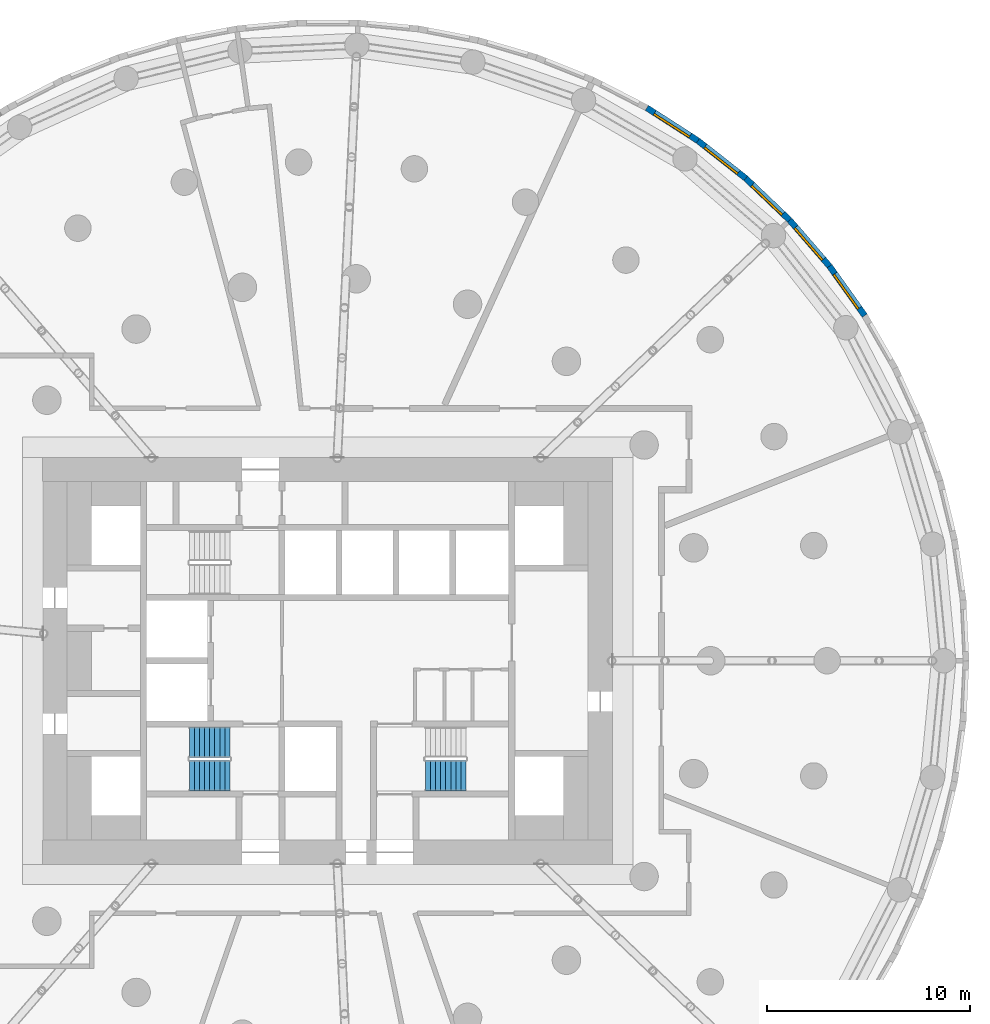
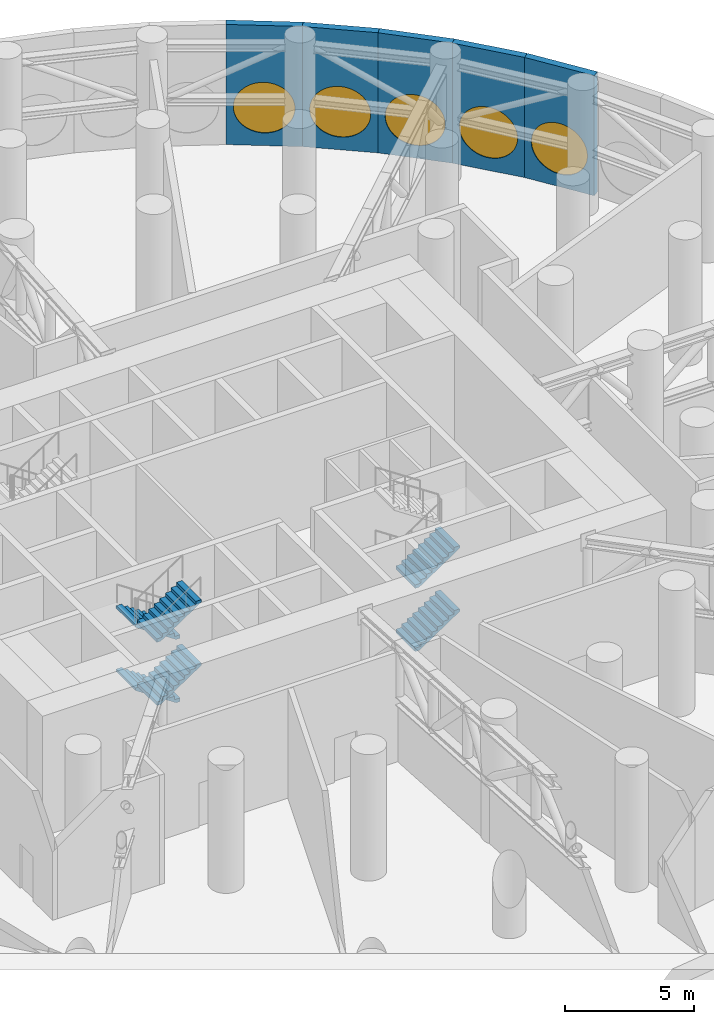
# One storey, part 15 of 17: 6 stair flights, 5 walls, 5 windows, 5 openings, 2 elements without a shape of their own.
"""IFC4 building model written with IfcOpenShell, lengths in metres."""

from ifc_helpers import new_model, si_unit, direction, frame, frame_2d, origin, origin_2d, place, context, subcontext, project, spatial, polyline, rectangle, circle, outline, extrude, material, layer, layer_set, type_object, element, fill, aggregate, save


model = new_model("IFC4")

# Units and contexts
model_context = context("Model", 3, precision=1e-05, world=origin(), true_north=direction((0.0, 1.0)))
body_context = subcontext(model_context, "Body", "Model", "MODEL_VIEW")
ifc_project = project(units=[si_unit("LENGTHUNIT", "METRE"), si_unit("AREAUNIT", "SQUARE_METRE"), si_unit("VOLUMEUNIT", "CUBIC_METRE"), si_unit("PLANEANGLEUNIT", "RADIAN"), si_unit("MASSUNIT", "GRAM", prefix="KILO")], contexts=[model_context])

# Site, building, storey
site_placement = place(None, origin())
site = spatial("IfcSite", under=ifc_project, at=site_placement, CompositionType="ELEMENT")
building_placement = place(site_placement, origin())
building = spatial("IfcBuilding", under=site, at=building_placement, Name="Tracery Tower", CompositionType="ELEMENT")
storey_placement = place(building_placement, frame((0.0, 0.0, 120.0)))
storey = spatial("IfcBuildingStorey", under=building, at=storey_placement, Name="L30 Plant", CompositionType="ELEMENT", Elevation=120.0)

# Wall, opening, window
ifc_material_1 = material(Name="Precast concrete C50/60", Category="concrete")
ifc_layer = layer(ifc_material_1, 0.300048828125)
ifc_layer_set = layer_set([ifc_layer], Name="Plant louvre panel 3000 x 5700")
wall_type = type_object("IfcWallType", Name="Plant louvre panel 3000 x 5700", PredefinedType="SOLIDWALL", material=ifc_layer_set)
wall_1_placement = place(storey_placement, frame((26.393798828125, 16.96240234375, 0.0), z_axis=(0.0, 0.0, 1.0), x_axis=(-0.580100533892, 0.814544885551, 0.0)))
wall_1 = element("IfcWall", 1, at=wall_1_placement, inside=storey, type_object=wall_type, Name="Plant louvre panel 7 at L30 Plant", PredefinedType="SOLIDWALL", context=body_context, shape_type="SweptSolid", body=[
    extrude(rectangle(XDim=2.985595703125, YDim=0.300048828125, at=frame_2d((1.49267578125, 0.0))), origin(), (0.0, 0.0, 1.0), 5.699951171875),
])
opening_1_placement = place(wall_1_placement, frame((1.492919921875, 0.0, 1.800048828125)))
opening_1 = element("IfcOpeningElement", 2, at=opening_1_placement, cuts=wall_1, Name="Opening LV1", PredefinedType="OPENING", context=body_context, shape_type="SweptSolid", body=[
    extrude(circle(Radius=1.199951171875, at=origin_2d()), frame((0.0, 0.159912109375, 0.0), z_axis=(0.0, -1.0, 0.0), x_axis=(1.0, 0.0, 0.0)), (0.0, 0.0, 1.0), 0.320068359375),
])
ifc_material_2 = material(Name="Aluminium louvre, bronze anodised", Category="aluminium")
window_type = type_object("IfcWindowType", Name="Louvred oculus 2400, sill 600", PartitioningType="SINGLE_PANEL", PredefinedType="WINDOW", material=ifc_material_2)
window_1_placement = place(opening_1_placement, origin())
window_1 = element("IfcWindow", 3, at=window_1_placement, inside=storey, type_object=window_type, Name="Louvred oculus 7 at L30 Plant", OverallHeight=2.39990234375, OverallWidth=2.39990234375, PartitioningType="SINGLE_PANEL", PredefinedType="WINDOW", context=body_context, shape_type="SweptSolid", body=[
    extrude(circle(Radius=1.199951171875, at=origin_2d()), frame((0.0, 0.1201171875, 0.0), z_axis=(0.0, -1.0, 0.0), x_axis=(1.0, 0.0, 0.0)), (0.0, 0.0, 1.0), 0.10009765625),
])
fill(opening_1, window_1)

wall_2_placement = place(storey_placement, frame((24.661865234375, 19.394287109375, 0.0), z_axis=(0.0, 0.0, 1.0), x_axis=(-0.654809121128, 0.755794294029, 0.0)))
wall_2 = element("IfcWall", 4, at=wall_2_placement, inside=storey, type_object=wall_type, Name="Plant louvre panel 8 at L30 Plant", PredefinedType="SOLIDWALL", context=body_context, shape_type="SweptSolid", body=[
    extrude(rectangle(XDim=2.98583984375, YDim=0.300048828125, at=frame_2d((1.492919921875, 0.0))), origin(), (0.0, 0.0, 1.0), 5.699951171875),
])
opening_2_placement = place(wall_2_placement, frame((1.492919921875, 0.0, 1.800048828125)))
opening_2 = element("IfcOpeningElement", 5, at=opening_2_placement, cuts=wall_2, Name="Opening LV1", PredefinedType="OPENING", context=body_context, shape_type="SweptSolid", body=[
    extrude(circle(Radius=1.199951171875, at=origin_2d()), frame((0.0, 0.159912109375, 0.0), z_axis=(0.0, -1.0, 0.0), x_axis=(1.0, 0.0, 0.0)), (0.0, 0.0, 1.0), 0.320068359375),
])
window_2_placement = place(opening_2_placement, origin())
window_2 = element("IfcWindow", 6, at=window_2_placement, inside=storey, type_object=window_type, Name="Louvred oculus 8 at L30 Plant", OverallHeight=2.39990234375, OverallWidth=2.39990234375, PartitioningType="SINGLE_PANEL", PredefinedType="WINDOW", context=body_context, shape_type="SweptSolid", body=[
    extrude(circle(Radius=1.199951171875, at=origin_2d()), frame((0.0, 0.1201171875, 0.0), z_axis=(0.0, -1.0, 0.0), x_axis=(1.0, 0.0, 0.0)), (0.0, 0.0, 1.0), 0.10009765625),
])
fill(opening_2, window_2)

wall_3_placement = place(storey_placement, frame((22.706787109375, 21.65087890625, 0.0), z_axis=(0.0, 0.0, 1.0), x_axis=(-0.723750841228, 0.690061388444, 0.0)))
wall_3 = element("IfcWall", 7, at=wall_3_placement, inside=storey, type_object=wall_type, Name="Plant louvre panel 9 at L30 Plant", PredefinedType="SOLIDWALL", context=body_context, shape_type="SweptSolid", body=[
    extrude(rectangle(XDim=2.985595703125, YDim=0.300048828125, at=frame_2d((1.49267578125, 0.0))), origin(), (0.0, 0.0, 1.0), 5.699951171875),
])
opening_3_placement = place(wall_3_placement, frame((1.492919921875, 0.0, 1.800048828125)))
opening_3 = element("IfcOpeningElement", 8, at=opening_3_placement, cuts=wall_3, Name="Opening LV1", PredefinedType="OPENING", context=body_context, shape_type="SweptSolid", body=[
    extrude(circle(Radius=1.199951171875, at=origin_2d()), frame((0.0, 0.159912109375, 0.0), z_axis=(0.0, -1.0, 0.0), x_axis=(1.0, 0.0, 0.0)), (0.0, 0.0, 1.0), 0.320068359375),
])
window_3_placement = place(opening_3_placement, origin())
window_3 = element("IfcWindow", 9, at=window_3_placement, inside=storey, type_object=window_type, Name="Louvred oculus 9 at L30 Plant", OverallHeight=2.39990234375, OverallWidth=2.39990234375, PartitioningType="SINGLE_PANEL", PredefinedType="WINDOW", context=body_context, shape_type="SweptSolid", body=[
    extrude(circle(Radius=1.199951171875, at=origin_2d()), frame((0.0, 0.1201171875, 0.0), z_axis=(0.0, -1.0, 0.0), x_axis=(1.0, 0.0, 0.0)), (0.0, 0.0, 1.0), 0.10009765625),
])
fill(opening_3, window_3)

wall_4_placement = place(storey_placement, frame((20.5458984375, 23.711181640625, 0.0), z_axis=(0.0, 0.0, 1.0), x_axis=(-0.786043032847, 0.618171780747, 0.0)))
wall_4 = element("IfcWall", 10, at=wall_4_placement, inside=storey, type_object=wall_type, Name="Plant louvre panel 10 at L30 Plant", PredefinedType="SOLIDWALL", context=body_context, shape_type="SweptSolid", body=[
    extrude(rectangle(XDim=2.98583984375, YDim=0.300048828125, at=frame_2d((1.492919921875, 0.0))), origin(), (0.0, 0.0, 1.0), 5.699951171875),
])
opening_4_placement = place(wall_4_placement, frame((1.492919921875, 0.0, 1.800048828125)))
opening_4 = element("IfcOpeningElement", 11, at=opening_4_placement, cuts=wall_4, Name="Opening LV1", PredefinedType="OPENING", context=body_context, shape_type="SweptSolid", body=[
    extrude(circle(Radius=1.199951171875, at=origin_2d()), frame((0.0, 0.159912109375, 0.0), z_axis=(0.0, -1.0, 0.0), x_axis=(1.0, 0.0, 0.0)), (0.0, 0.0, 1.0), 0.320068359375),
])
window_4_placement = place(opening_4_placement, origin())
window_4 = element("IfcWindow", 12, at=window_4_placement, inside=storey, type_object=window_type, Name="Louvred oculus 10 at L30 Plant", OverallHeight=2.39990234375, OverallWidth=2.39990234375, PartitioningType="SINGLE_PANEL", PredefinedType="WINDOW", context=body_context, shape_type="SweptSolid", body=[
    extrude(circle(Radius=1.199951171875, at=origin_2d()), frame((0.0, 0.1201171875, 0.0), z_axis=(0.0, -1.0, 0.0), x_axis=(1.0, 0.0, 0.0)), (0.0, 0.0, 1.0), 0.10009765625),
])
fill(opening_4, window_4)

wall_5_placement = place(storey_placement, frame((18.198974609375, 25.556884765625, 0.0), z_axis=(0.0, 0.0, 1.0), x_axis=(-0.841242231846, 0.540658401727, 0.0)))
wall_5 = element("IfcWall", 13, at=wall_5_placement, inside=storey, type_object=wall_type, Name="Plant louvre panel 11 at L30 Plant", PredefinedType="SOLIDWALL", context=body_context, shape_type="SweptSolid", body=[
    extrude(rectangle(XDim=2.98583984375, YDim=0.300048828125, at=frame_2d((1.492919921875, 0.0))), origin(), (0.0, 0.0, 1.0), 5.699951171875),
])
opening_5_placement = place(wall_5_placement, frame((1.492919921875, 0.0, 1.800048828125)))
opening_5 = element("IfcOpeningElement", 14, at=opening_5_placement, cuts=wall_5, Name="Opening LV1", PredefinedType="OPENING", context=body_context, shape_type="SweptSolid", body=[
    extrude(circle(Radius=1.199951171875, at=origin_2d()), frame((0.0, 0.159912109375, 0.0), z_axis=(0.0, -1.0, 0.0), x_axis=(1.0, 0.0, 0.0)), (0.0, 0.0, 1.0), 0.320068359375),
])
window_5_placement = place(opening_5_placement, origin())
window_5 = element("IfcWindow", 15, at=window_5_placement, inside=storey, type_object=window_type, Name="Louvred oculus 11 at L30 Plant", OverallHeight=2.39990234375, OverallWidth=2.39990234375, PartitioningType="SINGLE_PANEL", PredefinedType="WINDOW", context=body_context, shape_type="SweptSolid", body=[
    extrude(circle(Radius=1.199951171875, at=origin_2d()), frame((0.0, 0.1201171875, 0.0), z_axis=(0.0, -1.0, 0.0), x_axis=(1.0, 0.0, 0.0)), (0.0, 0.0, 1.0), 0.10009765625),
])
fill(opening_5, window_5)

# Stair, stair flights
ifc_material_3 = material(Name="Concrete C32/40", Category="concrete")
stair_type = type_object("IfcStairType", Name="Core stair 36 risers", PredefinedType="HALF_TURN_STAIR", material=ifc_material_3)
stair_1_placement = place(storey_placement, origin())
stair_1 = element("IfcStair", 16, at=stair_1_placement, inside=storey, type_object=stair_type, Name="L30 Plant stair ST1", PredefinedType="HALF_TURN_STAIR")
ifc_material_4 = material(Name="Concrete C32/40", Category="concrete")
stair_flight_type = type_object("IfcStairFlightType", Name="Core stair flight 9 risers", PredefinedType="STRAIGHT", material=ifc_material_4)
stair_flight_1_placement = place(storey_placement, frame((-4.800048828125, -4.0, 0.0), z_axis=(0.0, 0.0, 1.0), x_axis=(-1.0, 0.0, 0.0)))
stair_flight_1 = element("IfcStairFlight", 17, at=stair_flight_1_placement, type_object=stair_flight_type, Name="ST1 flight 1", NumberOfRisers=9, NumberOfTreads=8, PredefinedType="STRAIGHT", RiserHeight=0.166666667, TreadLength=0.25, context=body_context, shape_type="SweptSolid", body=[
    extrude(outline(polyline([(0.0, 0.0), (0.0, 0.002685546875), (0.0, 0.00537109375), (0.0, 0.00830078125), (0.0, 0.010986328125), (0.0, 0.013671875), (0.0, 0.016357421875), (0.0, 0.01904296875), (0.0, 0.02197265625), (0.0, 0.024658203125), (0.0, 0.02734375), (0.0, 0.030029296875), (0.0, 0.03271484375), (0.0, 0.035400390625), (0.0, 0.038330078125), (0.0, 0.041015625), (0.0, 0.043701171875), (0.0, 0.04638671875), (0.0, 0.049072265625), (0.0, 0.052001953125), (0.0, 0.0546875), (0.0, 0.057373046875), (0.0, 0.06005859375), (0.0, 0.062744140625), (0.0, 0.065673828125), (0.0, 0.068359375), (0.0, 0.071044921875), (0.0, 0.07373046875), (0.0, 0.076416015625), (0.0, 0.079345703125), (0.0, 0.08203125), (0.0, 0.084716796875), (0.0, 0.08740234375), (0.0, 0.090087890625), (0.0, 0.093017578125), (0.0, 0.095703125), (0.0, 0.098388671875), (0.0, 0.10107421875), (0.0, 0.103759765625), (0.0, 0.1064453125), (0.0, 0.109375), (0.0, 0.112060546875), (0.0, 0.11474609375), (0.0, 0.117431640625), (0.0, 0.1201171875), (0.0, 0.123046875), (0.0, 0.125732421875), (0.0, 0.12841796875), (0.0, 0.131103515625), (0.0, 0.1337890625), (0.0, 0.13671875), (0.0, 0.139404296875), (0.0, 0.14208984375), (0.0, 0.144775390625), (0.0, 0.1474609375), (0.0, 0.150390625), (0.0, 0.153076171875), (0.0, 0.15576171875), (0.0, 0.158447265625), (0.0, 0.1611328125), (0.0, 0.163818359375), (0.0, 0.166748046875), (0.25, 0.166748046875), (0.25, 0.333251953125), (0.5, 0.333251953125), (0.5, 0.5), (0.75, 0.5), (0.75, 0.666748046875), (1.0, 0.666748046875), (1.0, 0.833251953125), (1.25, 0.833251953125), (1.25, 1.0), (1.5, 1.0), (1.5, 1.166748046875), (1.75, 1.166748046875), (1.75, 1.333251953125), (2.0, 1.333251953125), (2.0, 1.331298828125), (2.0, 1.329345703125), (2.0, 1.327392578125), (2.0, 1.325439453125), (2.0, 1.323486328125), (2.0, 1.321533203125), (2.0, 1.319580078125), (2.0, 1.317626953125), (2.0, 1.315673828125), (2.0, 1.313720703125), (2.0, 1.3115234375), (2.0, 1.3095703125), (2.0, 1.3076171875), (2.0, 1.3056640625), (2.0, 1.3037109375), (2.0, 1.3017578125), (2.0, 1.2998046875), (2.0, 1.2978515625), (2.0, 1.2958984375), (2.0, 1.2939453125), (2.0, 1.2919921875), (2.0, 1.2900390625), (2.0, 1.2880859375), (2.0, 1.285888671875), (2.0, 1.283935546875), (2.0, 1.281982421875), (2.0, 1.280029296875), (2.0, 1.278076171875), (2.0, 1.276123046875), (2.0, 1.274169921875), (2.0, 1.272216796875), (2.0, 1.270263671875), (2.0, 1.268310546875), (2.0, 1.266357421875), (2.0, 1.264404296875), (2.0, 1.262451171875), (2.0, 1.26025390625), (2.0, 1.25830078125), (2.0, 1.25634765625), (2.0, 1.25439453125), (2.0, 1.25244140625), (2.0, 1.25048828125), (2.0, 1.24853515625), (2.0, 1.24658203125), (2.0, 1.24462890625), (2.0, 1.24267578125), (2.0, 1.24072265625), (2.0, 1.23876953125), (2.0, 1.23681640625), (2.0, 1.234619140625), (2.0, 1.232666015625), (2.0, 1.230712890625), (2.0, 1.228759765625), (2.0, 1.226806640625), (2.0, 1.224853515625), (2.0, 1.222900390625), (2.0, 1.220947265625), (2.0, 1.218994140625), (2.0, 1.217041015625), (2.0, 1.215087890625), (2.0, 1.213134765625), (0.180419921875, 0.0), (0.0, 0.0)])), frame((0.0, 0.75, 0.0), z_axis=(0.0, -1.0, 0.0), x_axis=(1.0, 0.0, 0.0)), (0.0, 0.0, 1.0), 1.5),
])
stair_flight_2_placement = place(storey_placement, frame((-6.800048828125, -5.64990234375, 1.5), z_axis=(0.0, 0.0, 1.0), x_axis=(1.0, 0.0, 0.0)))
stair_flight_2 = element("IfcStairFlight", 18, at=stair_flight_2_placement, type_object=stair_flight_type, Name="ST1 flight 2", NumberOfRisers=9, NumberOfTreads=8, PredefinedType="STRAIGHT", RiserHeight=0.166666667, TreadLength=0.25, context=body_context, shape_type="SweptSolid", body=[
    extrude(outline(polyline([(0.0, 0.0), (0.0, 0.002685546875), (0.0, 0.00537109375), (0.0, 0.00830078125), (0.0, 0.010986328125), (0.0, 0.013671875), (0.0, 0.016357421875), (0.0, 0.01904296875), (0.0, 0.02197265625), (0.0, 0.024658203125), (0.0, 0.02734375), (0.0, 0.030029296875), (0.0, 0.03271484375), (0.0, 0.035400390625), (0.0, 0.038330078125), (0.0, 0.041015625), (0.0, 0.043701171875), (0.0, 0.04638671875), (0.0, 0.049072265625), (0.0, 0.052001953125), (0.0, 0.0546875), (0.0, 0.057373046875), (0.0, 0.06005859375), (0.0, 0.062744140625), (0.0, 0.065673828125), (0.0, 0.068359375), (0.0, 0.071044921875), (0.0, 0.07373046875), (0.0, 0.076416015625), (0.0, 0.079345703125), (0.0, 0.08203125), (0.0, 0.084716796875), (0.0, 0.08740234375), (0.0, 0.090087890625), (0.0, 0.093017578125), (0.0, 0.095703125), (0.0, 0.098388671875), (0.0, 0.10107421875), (0.0, 0.103759765625), (0.0, 0.1064453125), (0.0, 0.109375), (0.0, 0.112060546875), (0.0, 0.11474609375), (0.0, 0.117431640625), (0.0, 0.1201171875), (0.0, 0.123046875), (0.0, 0.125732421875), (0.0, 0.12841796875), (0.0, 0.131103515625), (0.0, 0.1337890625), (0.0, 0.13671875), (0.0, 0.139404296875), (0.0, 0.14208984375), (0.0, 0.144775390625), (0.0, 0.1474609375), (0.0, 0.150390625), (0.0, 0.153076171875), (0.0, 0.15576171875), (0.0, 0.158447265625), (0.0, 0.1611328125), (0.0, 0.163818359375), (0.0, 0.166748046875), (0.25, 0.166748046875), (0.25, 0.333251953125), (0.5, 0.333251953125), (0.5, 0.5), (0.75, 0.5), (0.75, 0.666748046875), (1.0, 0.666748046875), (1.0, 0.833251953125), (1.25, 0.833251953125), (1.25, 1.0), (1.5, 1.0), (1.5, 1.166748046875), (1.75, 1.166748046875), (1.75, 1.333251953125), (2.0, 1.333251953125), (2.0, 1.331298828125), (2.0, 1.329345703125), (2.0, 1.327392578125), (2.0, 1.325439453125), (2.0, 1.323486328125), (2.0, 1.321533203125), (2.0, 1.319580078125), (2.0, 1.317626953125), (2.0, 1.315673828125), (2.0, 1.313720703125), (2.0, 1.3115234375), (2.0, 1.3095703125), (2.0, 1.3076171875), (2.0, 1.3056640625), (2.0, 1.3037109375), (2.0, 1.3017578125), (2.0, 1.2998046875), (2.0, 1.2978515625), (2.0, 1.2958984375), (2.0, 1.2939453125), (2.0, 1.2919921875), (2.0, 1.2900390625), (2.0, 1.2880859375), (2.0, 1.285888671875), (2.0, 1.283935546875), (2.0, 1.281982421875), (2.0, 1.280029296875), (2.0, 1.278076171875), (2.0, 1.276123046875), (2.0, 1.274169921875), (2.0, 1.272216796875), (2.0, 1.270263671875), (2.0, 1.268310546875), (2.0, 1.266357421875), (2.0, 1.264404296875), (2.0, 1.262451171875), (2.0, 1.26025390625), (2.0, 1.25830078125), (2.0, 1.25634765625), (2.0, 1.25439453125), (2.0, 1.25244140625), (2.0, 1.25048828125), (2.0, 1.24853515625), (2.0, 1.24658203125), (2.0, 1.24462890625), (2.0, 1.24267578125), (2.0, 1.24072265625), (2.0, 1.23876953125), (2.0, 1.23681640625), (2.0, 1.234619140625), (2.0, 1.232666015625), (2.0, 1.230712890625), (2.0, 1.228759765625), (2.0, 1.226806640625), (2.0, 1.224853515625), (2.0, 1.222900390625), (2.0, 1.220947265625), (2.0, 1.218994140625), (2.0, 1.217041015625), (2.0, 1.215087890625), (2.0, 1.213134765625), (0.180419921875, 0.0), (0.0, 0.0)])), frame((0.0, 0.75, 0.0), z_axis=(0.0, -1.0, 0.0), x_axis=(1.0, 0.0, 0.0)), (0.0, 0.0, 1.0), 1.5),
])
stair_flight_3_placement = place(storey_placement, frame((-4.800048828125, -4.0, 3.0), z_axis=(0.0, 0.0, 1.0), x_axis=(-1.0, 0.0, 0.0)))
stair_flight_3 = element("IfcStairFlight", 19, at=stair_flight_3_placement, type_object=stair_flight_type, Name="ST1 flight 3", NumberOfRisers=9, NumberOfTreads=8, PredefinedType="STRAIGHT", RiserHeight=0.166666667, TreadLength=0.25, context=body_context, shape_type="SweptSolid", body=[
    extrude(outline(polyline([(0.0, 0.0), (0.0, 0.002685546875), (0.0, 0.00537109375), (0.0, 0.00830078125), (0.0, 0.010986328125), (0.0, 0.013671875), (0.0, 0.016357421875), (0.0, 0.01904296875), (0.0, 0.02197265625), (0.0, 0.024658203125), (0.0, 0.02734375), (0.0, 0.030029296875), (0.0, 0.03271484375), (0.0, 0.035400390625), (0.0, 0.038330078125), (0.0, 0.041015625), (0.0, 0.043701171875), (0.0, 0.04638671875), (0.0, 0.049072265625), (0.0, 0.052001953125), (0.0, 0.0546875), (0.0, 0.057373046875), (0.0, 0.06005859375), (0.0, 0.062744140625), (0.0, 0.065673828125), (0.0, 0.068359375), (0.0, 0.071044921875), (0.0, 0.07373046875), (0.0, 0.076416015625), (0.0, 0.079345703125), (0.0, 0.08203125), (0.0, 0.084716796875), (0.0, 0.08740234375), (0.0, 0.090087890625), (0.0, 0.093017578125), (0.0, 0.095703125), (0.0, 0.098388671875), (0.0, 0.10107421875), (0.0, 0.103759765625), (0.0, 0.1064453125), (0.0, 0.109375), (0.0, 0.112060546875), (0.0, 0.11474609375), (0.0, 0.117431640625), (0.0, 0.1201171875), (0.0, 0.123046875), (0.0, 0.125732421875), (0.0, 0.12841796875), (0.0, 0.131103515625), (0.0, 0.1337890625), (0.0, 0.13671875), (0.0, 0.139404296875), (0.0, 0.14208984375), (0.0, 0.144775390625), (0.0, 0.1474609375), (0.0, 0.150390625), (0.0, 0.153076171875), (0.0, 0.15576171875), (0.0, 0.158447265625), (0.0, 0.1611328125), (0.0, 0.163818359375), (0.0, 0.166748046875), (0.25, 0.166748046875), (0.25, 0.333251953125), (0.5, 0.333251953125), (0.5, 0.5), (0.75, 0.5), (0.75, 0.666748046875), (1.0, 0.666748046875), (1.0, 0.833251953125), (1.25, 0.833251953125), (1.25, 1.0), (1.5, 1.0), (1.5, 1.166748046875), (1.75, 1.166748046875), (1.75, 1.333251953125), (2.0, 1.333251953125), (2.0, 1.331298828125), (2.0, 1.329345703125), (2.0, 1.327392578125), (2.0, 1.325439453125), (2.0, 1.323486328125), (2.0, 1.321533203125), (2.0, 1.319580078125), (2.0, 1.317626953125), (2.0, 1.315673828125), (2.0, 1.313720703125), (2.0, 1.3115234375), (2.0, 1.3095703125), (2.0, 1.3076171875), (2.0, 1.3056640625), (2.0, 1.3037109375), (2.0, 1.3017578125), (2.0, 1.2998046875), (2.0, 1.2978515625), (2.0, 1.2958984375), (2.0, 1.2939453125), (2.0, 1.2919921875), (2.0, 1.2900390625), (2.0, 1.2880859375), (2.0, 1.285888671875), (2.0, 1.283935546875), (2.0, 1.281982421875), (2.0, 1.280029296875), (2.0, 1.278076171875), (2.0, 1.276123046875), (2.0, 1.274169921875), (2.0, 1.272216796875), (2.0, 1.270263671875), (2.0, 1.268310546875), (2.0, 1.266357421875), (2.0, 1.264404296875), (2.0, 1.262451171875), (2.0, 1.26025390625), (2.0, 1.25830078125), (2.0, 1.25634765625), (2.0, 1.25439453125), (2.0, 1.25244140625), (2.0, 1.25048828125), (2.0, 1.24853515625), (2.0, 1.24658203125), (2.0, 1.24462890625), (2.0, 1.24267578125), (2.0, 1.24072265625), (2.0, 1.23876953125), (2.0, 1.23681640625), (2.0, 1.234619140625), (2.0, 1.232666015625), (2.0, 1.230712890625), (2.0, 1.228759765625), (2.0, 1.226806640625), (2.0, 1.224853515625), (2.0, 1.222900390625), (2.0, 1.220947265625), (2.0, 1.218994140625), (2.0, 1.217041015625), (2.0, 1.215087890625), (2.0, 1.213134765625), (0.180419921875, 0.0), (0.0, 0.0)])), frame((0.0, 0.75, 0.0), z_axis=(0.0, -1.0, 0.0), x_axis=(1.0, 0.0, 0.0)), (0.0, 0.0, 1.0), 1.5),
])
stair_flight_4_placement = place(storey_placement, frame((-6.800048828125, -5.64990234375, 4.5), z_axis=(0.0, 0.0, 1.0), x_axis=(1.0, 0.0, 0.0)))
stair_flight_4 = element("IfcStairFlight", 20, at=stair_flight_4_placement, type_object=stair_flight_type, Name="ST1 flight 4", NumberOfRisers=9, NumberOfTreads=8, PredefinedType="STRAIGHT", RiserHeight=0.166666667, TreadLength=0.25, context=body_context, shape_type="SweptSolid", body=[
    extrude(outline(polyline([(0.0, 0.0), (0.0, 0.002685546875), (0.0, 0.00537109375), (0.0, 0.00830078125), (0.0, 0.010986328125), (0.0, 0.013671875), (0.0, 0.016357421875), (0.0, 0.01904296875), (0.0, 0.02197265625), (0.0, 0.024658203125), (0.0, 0.02734375), (0.0, 0.030029296875), (0.0, 0.03271484375), (0.0, 0.035400390625), (0.0, 0.038330078125), (0.0, 0.041015625), (0.0, 0.043701171875), (0.0, 0.04638671875), (0.0, 0.049072265625), (0.0, 0.052001953125), (0.0, 0.0546875), (0.0, 0.057373046875), (0.0, 0.06005859375), (0.0, 0.062744140625), (0.0, 0.065673828125), (0.0, 0.068359375), (0.0, 0.071044921875), (0.0, 0.07373046875), (0.0, 0.076416015625), (0.0, 0.079345703125), (0.0, 0.08203125), (0.0, 0.084716796875), (0.0, 0.08740234375), (0.0, 0.090087890625), (0.0, 0.093017578125), (0.0, 0.095703125), (0.0, 0.098388671875), (0.0, 0.10107421875), (0.0, 0.103759765625), (0.0, 0.1064453125), (0.0, 0.109375), (0.0, 0.112060546875), (0.0, 0.11474609375), (0.0, 0.117431640625), (0.0, 0.1201171875), (0.0, 0.123046875), (0.0, 0.125732421875), (0.0, 0.12841796875), (0.0, 0.131103515625), (0.0, 0.1337890625), (0.0, 0.13671875), (0.0, 0.139404296875), (0.0, 0.14208984375), (0.0, 0.144775390625), (0.0, 0.1474609375), (0.0, 0.150390625), (0.0, 0.153076171875), (0.0, 0.15576171875), (0.0, 0.158447265625), (0.0, 0.1611328125), (0.0, 0.163818359375), (0.0, 0.166748046875), (0.25, 0.166748046875), (0.25, 0.333251953125), (0.5, 0.333251953125), (0.5, 0.5), (0.75, 0.5), (0.75, 0.666748046875), (1.0, 0.666748046875), (1.0, 0.833251953125), (1.25, 0.833251953125), (1.25, 1.0), (1.5, 1.0), (1.5, 1.166748046875), (1.75, 1.166748046875), (1.75, 1.333251953125), (2.0, 1.333251953125), (2.0, 1.331298828125), (2.0, 1.329345703125), (2.0, 1.327392578125), (2.0, 1.325439453125), (2.0, 1.323486328125), (2.0, 1.321533203125), (2.0, 1.319580078125), (2.0, 1.317626953125), (2.0, 1.315673828125), (2.0, 1.313720703125), (2.0, 1.3115234375), (2.0, 1.3095703125), (2.0, 1.3076171875), (2.0, 1.3056640625), (2.0, 1.3037109375), (2.0, 1.3017578125), (2.0, 1.2998046875), (2.0, 1.2978515625), (2.0, 1.2958984375), (2.0, 1.2939453125), (2.0, 1.2919921875), (2.0, 1.2900390625), (2.0, 1.2880859375), (2.0, 1.285888671875), (2.0, 1.283935546875), (2.0, 1.281982421875), (2.0, 1.280029296875), (2.0, 1.278076171875), (2.0, 1.276123046875), (2.0, 1.274169921875), (2.0, 1.272216796875), (2.0, 1.270263671875), (2.0, 1.268310546875), (2.0, 1.266357421875), (2.0, 1.264404296875), (2.0, 1.262451171875), (2.0, 1.26025390625), (2.0, 1.25830078125), (2.0, 1.25634765625), (2.0, 1.25439453125), (2.0, 1.25244140625), (2.0, 1.25048828125), (2.0, 1.24853515625), (2.0, 1.24658203125), (2.0, 1.24462890625), (2.0, 1.24267578125), (2.0, 1.24072265625), (2.0, 1.23876953125), (2.0, 1.23681640625), (2.0, 1.234619140625), (2.0, 1.232666015625), (2.0, 1.230712890625), (2.0, 1.228759765625), (2.0, 1.226806640625), (2.0, 1.224853515625), (2.0, 1.222900390625), (2.0, 1.220947265625), (2.0, 1.218994140625), (2.0, 1.217041015625), (2.0, 1.215087890625), (2.0, 1.213134765625), (0.180419921875, 0.0), (0.0, 0.0)])), frame((0.0, 0.75, 0.0), z_axis=(0.0, -1.0, 0.0), x_axis=(1.0, 0.0, 0.0)), (0.0, 0.0, 1.0), 1.5),
])
aggregate(stair_1, [stair_flight_1, stair_flight_2, stair_flight_3, stair_flight_4])

stair_2_placement = place(storey_placement, origin())
stair_2 = element("IfcStair", 21, at=stair_2_placement, inside=storey, type_object=stair_type, Name="L30 Plant stair ST2", PredefinedType="HALF_TURN_STAIR")
stair_flight_5_placement = place(storey_placement, frame((4.800048828125, -5.64990234375, 0.0), z_axis=(0.0, 0.0, 1.0), x_axis=(1.0, 0.0, 0.0)))
stair_flight_5 = element("IfcStairFlight", 22, at=stair_flight_5_placement, type_object=stair_flight_type, Name="ST2 flight 1", NumberOfRisers=9, NumberOfTreads=8, PredefinedType="STRAIGHT", RiserHeight=0.166666667, TreadLength=0.25, context=body_context, shape_type="SweptSolid", body=[
    extrude(outline(polyline([(0.0, 0.0), (0.0, 0.002685546875), (0.0, 0.00537109375), (0.0, 0.00830078125), (0.0, 0.010986328125), (0.0, 0.013671875), (0.0, 0.016357421875), (0.0, 0.01904296875), (0.0, 0.02197265625), (0.0, 0.024658203125), (0.0, 0.02734375), (0.0, 0.030029296875), (0.0, 0.03271484375), (0.0, 0.035400390625), (0.0, 0.038330078125), (0.0, 0.041015625), (0.0, 0.043701171875), (0.0, 0.04638671875), (0.0, 0.049072265625), (0.0, 0.052001953125), (0.0, 0.0546875), (0.0, 0.057373046875), (0.0, 0.06005859375), (0.0, 0.062744140625), (0.0, 0.065673828125), (0.0, 0.068359375), (0.0, 0.071044921875), (0.0, 0.07373046875), (0.0, 0.076416015625), (0.0, 0.079345703125), (0.0, 0.08203125), (0.0, 0.084716796875), (0.0, 0.08740234375), (0.0, 0.090087890625), (0.0, 0.093017578125), (0.0, 0.095703125), (0.0, 0.098388671875), (0.0, 0.10107421875), (0.0, 0.103759765625), (0.0, 0.1064453125), (0.0, 0.109375), (0.0, 0.112060546875), (0.0, 0.11474609375), (0.0, 0.117431640625), (0.0, 0.1201171875), (0.0, 0.123046875), (0.0, 0.125732421875), (0.0, 0.12841796875), (0.0, 0.131103515625), (0.0, 0.1337890625), (0.0, 0.13671875), (0.0, 0.139404296875), (0.0, 0.14208984375), (0.0, 0.144775390625), (0.0, 0.1474609375), (0.0, 0.150390625), (0.0, 0.153076171875), (0.0, 0.15576171875), (0.0, 0.158447265625), (0.0, 0.1611328125), (0.0, 0.163818359375), (0.0, 0.166748046875), (0.25, 0.166748046875), (0.25, 0.333251953125), (0.5, 0.333251953125), (0.5, 0.5), (0.75, 0.5), (0.75, 0.666748046875), (1.0, 0.666748046875), (1.0, 0.833251953125), (1.25, 0.833251953125), (1.25, 1.0), (1.5, 1.0), (1.5, 1.166748046875), (1.75, 1.166748046875), (1.75, 1.333251953125), (2.0, 1.333251953125), (2.0, 1.331298828125), (2.0, 1.329345703125), (2.0, 1.327392578125), (2.0, 1.325439453125), (2.0, 1.323486328125), (2.0, 1.321533203125), (2.0, 1.319580078125), (2.0, 1.317626953125), (2.0, 1.315673828125), (2.0, 1.313720703125), (2.0, 1.3115234375), (2.0, 1.3095703125), (2.0, 1.3076171875), (2.0, 1.3056640625), (2.0, 1.3037109375), (2.0, 1.3017578125), (2.0, 1.2998046875), (2.0, 1.2978515625), (2.0, 1.2958984375), (2.0, 1.2939453125), (2.0, 1.2919921875), (2.0, 1.2900390625), (2.0, 1.2880859375), (2.0, 1.285888671875), (2.0, 1.283935546875), (2.0, 1.281982421875), (2.0, 1.280029296875), (2.0, 1.278076171875), (2.0, 1.276123046875), (2.0, 1.274169921875), (2.0, 1.272216796875), (2.0, 1.270263671875), (2.0, 1.268310546875), (2.0, 1.266357421875), (2.0, 1.264404296875), (2.0, 1.262451171875), (2.0, 1.26025390625), (2.0, 1.25830078125), (2.0, 1.25634765625), (2.0, 1.25439453125), (2.0, 1.25244140625), (2.0, 1.25048828125), (2.0, 1.24853515625), (2.0, 1.24658203125), (2.0, 1.24462890625), (2.0, 1.24267578125), (2.0, 1.24072265625), (2.0, 1.23876953125), (2.0, 1.23681640625), (2.0, 1.234619140625), (2.0, 1.232666015625), (2.0, 1.230712890625), (2.0, 1.228759765625), (2.0, 1.226806640625), (2.0, 1.224853515625), (2.0, 1.222900390625), (2.0, 1.220947265625), (2.0, 1.218994140625), (2.0, 1.217041015625), (2.0, 1.215087890625), (2.0, 1.213134765625), (0.180419921875, 0.0), (0.0, 0.0)])), frame((0.0, 0.75, 0.0), z_axis=(0.0, -1.0, 0.0), x_axis=(1.0, 0.0, 0.0)), (0.0, 0.0, 1.0), 1.5),
])
stair_flight_6_placement = place(storey_placement, frame((4.800048828125, -5.64990234375, 3.0), z_axis=(0.0, 0.0, 1.0), x_axis=(1.0, 0.0, 0.0)))
stair_flight_6 = element("IfcStairFlight", 23, at=stair_flight_6_placement, type_object=stair_flight_type, Name="ST2 flight 3", NumberOfRisers=9, NumberOfTreads=8, PredefinedType="STRAIGHT", RiserHeight=0.166666667, TreadLength=0.25, context=body_context, shape_type="SweptSolid", body=[
    extrude(outline(polyline([(0.0, 0.0), (0.0, 0.002685546875), (0.0, 0.00537109375), (0.0, 0.00830078125), (0.0, 0.010986328125), (0.0, 0.013671875), (0.0, 0.016357421875), (0.0, 0.01904296875), (0.0, 0.02197265625), (0.0, 0.024658203125), (0.0, 0.02734375), (0.0, 0.030029296875), (0.0, 0.03271484375), (0.0, 0.035400390625), (0.0, 0.038330078125), (0.0, 0.041015625), (0.0, 0.043701171875), (0.0, 0.04638671875), (0.0, 0.049072265625), (0.0, 0.052001953125), (0.0, 0.0546875), (0.0, 0.057373046875), (0.0, 0.06005859375), (0.0, 0.062744140625), (0.0, 0.065673828125), (0.0, 0.068359375), (0.0, 0.071044921875), (0.0, 0.07373046875), (0.0, 0.076416015625), (0.0, 0.079345703125), (0.0, 0.08203125), (0.0, 0.084716796875), (0.0, 0.08740234375), (0.0, 0.090087890625), (0.0, 0.093017578125), (0.0, 0.095703125), (0.0, 0.098388671875), (0.0, 0.10107421875), (0.0, 0.103759765625), (0.0, 0.1064453125), (0.0, 0.109375), (0.0, 0.112060546875), (0.0, 0.11474609375), (0.0, 0.117431640625), (0.0, 0.1201171875), (0.0, 0.123046875), (0.0, 0.125732421875), (0.0, 0.12841796875), (0.0, 0.131103515625), (0.0, 0.1337890625), (0.0, 0.13671875), (0.0, 0.139404296875), (0.0, 0.14208984375), (0.0, 0.144775390625), (0.0, 0.1474609375), (0.0, 0.150390625), (0.0, 0.153076171875), (0.0, 0.15576171875), (0.0, 0.158447265625), (0.0, 0.1611328125), (0.0, 0.163818359375), (0.0, 0.166748046875), (0.25, 0.166748046875), (0.25, 0.333251953125), (0.5, 0.333251953125), (0.5, 0.5), (0.75, 0.5), (0.75, 0.666748046875), (1.0, 0.666748046875), (1.0, 0.833251953125), (1.25, 0.833251953125), (1.25, 1.0), (1.5, 1.0), (1.5, 1.166748046875), (1.75, 1.166748046875), (1.75, 1.333251953125), (2.0, 1.333251953125), (2.0, 1.331298828125), (2.0, 1.329345703125), (2.0, 1.327392578125), (2.0, 1.325439453125), (2.0, 1.323486328125), (2.0, 1.321533203125), (2.0, 1.319580078125), (2.0, 1.317626953125), (2.0, 1.315673828125), (2.0, 1.313720703125), (2.0, 1.3115234375), (2.0, 1.3095703125), (2.0, 1.3076171875), (2.0, 1.3056640625), (2.0, 1.3037109375), (2.0, 1.3017578125), (2.0, 1.2998046875), (2.0, 1.2978515625), (2.0, 1.2958984375), (2.0, 1.2939453125), (2.0, 1.2919921875), (2.0, 1.2900390625), (2.0, 1.2880859375), (2.0, 1.285888671875), (2.0, 1.283935546875), (2.0, 1.281982421875), (2.0, 1.280029296875), (2.0, 1.278076171875), (2.0, 1.276123046875), (2.0, 1.274169921875), (2.0, 1.272216796875), (2.0, 1.270263671875), (2.0, 1.268310546875), (2.0, 1.266357421875), (2.0, 1.264404296875), (2.0, 1.262451171875), (2.0, 1.26025390625), (2.0, 1.25830078125), (2.0, 1.25634765625), (2.0, 1.25439453125), (2.0, 1.25244140625), (2.0, 1.25048828125), (2.0, 1.24853515625), (2.0, 1.24658203125), (2.0, 1.24462890625), (2.0, 1.24267578125), (2.0, 1.24072265625), (2.0, 1.23876953125), (2.0, 1.23681640625), (2.0, 1.234619140625), (2.0, 1.232666015625), (2.0, 1.230712890625), (2.0, 1.228759765625), (2.0, 1.226806640625), (2.0, 1.224853515625), (2.0, 1.222900390625), (2.0, 1.220947265625), (2.0, 1.218994140625), (2.0, 1.217041015625), (2.0, 1.215087890625), (2.0, 1.213134765625), (0.180419921875, 0.0), (0.0, 0.0)])), frame((0.0, 0.75, 0.0), z_axis=(0.0, -1.0, 0.0), x_axis=(1.0, 0.0, 0.0)), (0.0, 0.0, 1.0), 1.5),
])
aggregate(stair_2, [stair_flight_5, stair_flight_6])

save(model, "model.ifc")
